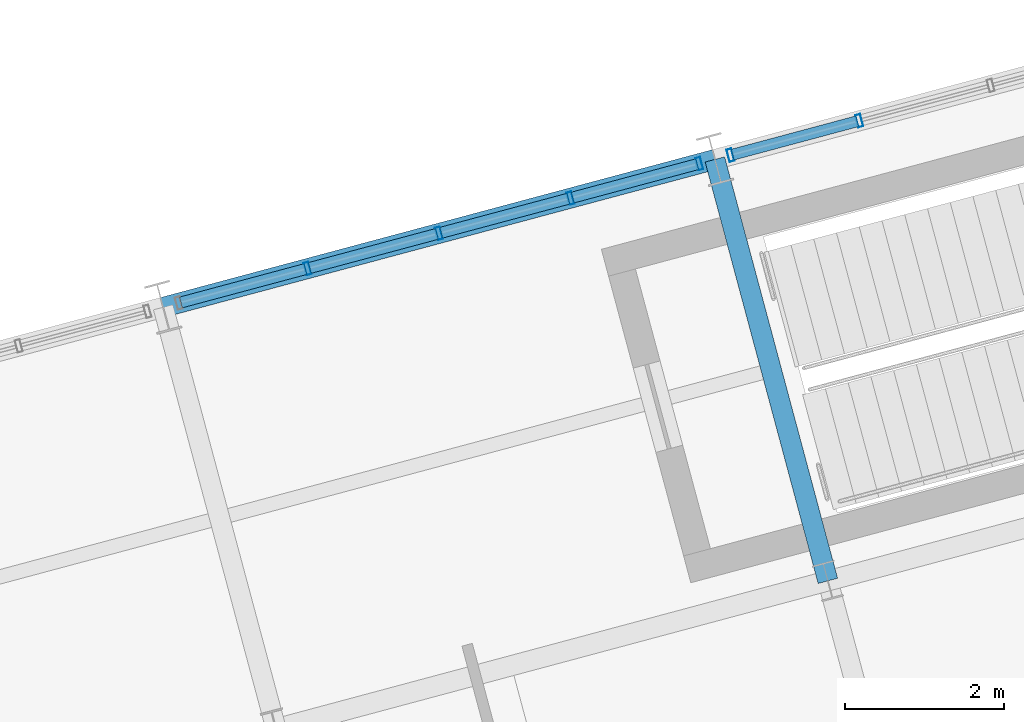
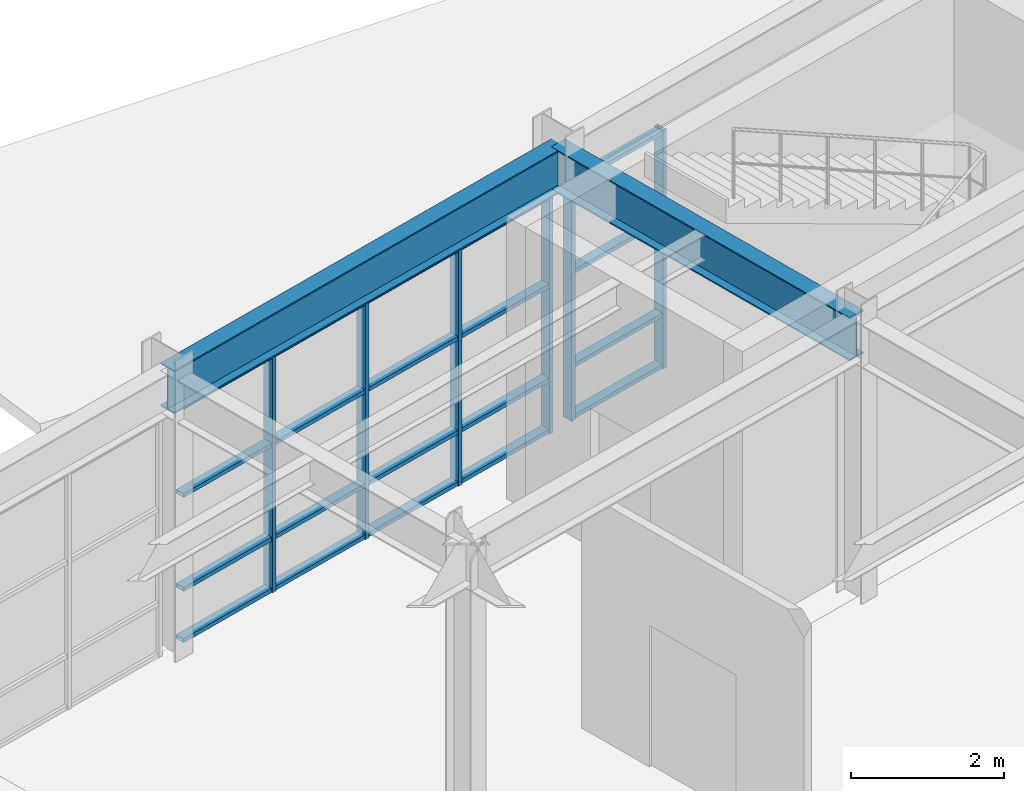
# One storey, part 56 of 104: 26 members, 2 beams, 2 elements without a shape of their own.
"""IFC4 building model written with IfcOpenShell, lengths in metres."""

from ifc_helpers import new_model, si_unit, direction, frame, origin, origin_2d, place, context, subcontext, project, spatial, hollow_rectangle, i_section, extrude, material, layer, layer_set, material_profile, profile_set, type_object, element, aggregate, save


model = new_model("IFC4")

# Units and contexts
model_context = context("Model", 3, precision=1e-05, world=origin(), true_north=direction((0.0, 1.0)))
body_context = subcontext(model_context, "Body", "Model", "MODEL_VIEW")
ifc_project = project(units=[si_unit("LENGTHUNIT", "METRE"), si_unit("AREAUNIT", "SQUARE_METRE"), si_unit("VOLUMEUNIT", "CUBIC_METRE"), si_unit("PLANEANGLEUNIT", "RADIAN"), si_unit("MASSUNIT", "GRAM", prefix="KILO")], contexts=[model_context])

# Site, building, storey
site_placement = place(None, origin())
site = spatial("IfcSite", under=ifc_project, at=site_placement, CompositionType="ELEMENT")
building_placement = place(site_placement, origin())
building = spatial("IfcBuilding", under=site, at=building_placement, Name="Ventoquebrada Cableway Terminal", CompositionType="ELEMENT")
storey_placement = place(building_placement, frame((0.0, 0.0, 4.800048828125)))
storey = spatial("IfcBuildingStorey", under=building, at=storey_placement, Name="L01", CompositionType="ELEMENT", Elevation=4.800048828125)

# Beams
ifc_material_1 = material(Name="Steel ASTM A992 Grade 50", Category="steel")
ifc_material_profile_1 = material_profile(ifc_material_1, i_section(OverallWidth=0.25390625, OverallDepth=0.68798828125, WebThickness=0.01318359375, FlangeThickness=0.02099609375, at=origin_2d()), Name="W27X102")
ifc_profile_set_1 = profile_set([ifc_material_profile_1], Name="Steel ASTM A992 Grade 50")
beam_type = type_object("IfcBeamType", Name="BM-ST04", PredefinedType="BEAM", material=ifc_profile_set_1)
beam_1_placement = place(storey_placement, frame((74.490966796875, 97.0400390625, 4.130859375), z_axis=(-0.258941703614, 0.965892951693, 0.0), x_axis=(-0.965892951693, -0.258941703614, 0.0)))
element("IfcBeam", 1, at=beam_1_placement, inside=storey, type_object=beam_type, Name="Splayed station girder FBM-1036", PredefinedType="BEAM", context=body_context, shape_type="SweptSolid", body=[
    extrude(i_section(OverallWidth=0.25390625, OverallDepth=0.68798828125, WebThickness=0.01318359375, FlangeThickness=0.02099609375, at=origin_2d()), origin(), (0.0, 0.0, 1.0), 5.49951171875),
])
beam_2_placement = place(storey_placement, frame((66.113037109375, 100.489013671875, 4.130859375), z_axis=(0.965934277216, 0.258787503754, 0.0), x_axis=(-0.258787503754, 0.965934277216, 0.0)))
element("IfcBeam", 2, at=beam_2_placement, inside=storey, type_object=beam_type, Name="Splayed station girder FBM-1064", PredefinedType="BEAM", context=body_context, shape_type="SweptSolid", body=[
    extrude(i_section(OverallWidth=0.25390625, OverallDepth=0.68798828125, WebThickness=0.01318359375, FlangeThickness=0.02099609375, at=origin_2d()), origin(), (0.0, 0.0, 1.0), 7.19921875),
])

# Curtain wall, members
ifc_material_2 = material(Name="Anodized thermally-broken aluminium", Category="aluminium")
ifc_layer_1 = layer(ifc_material_2, 0.159912109375)
ifc_layer_set_1 = layer_set([ifc_layer_1], Name="Anodized thermally-broken aluminium")
curtain_wall_type_1 = type_object("IfcCurtainWallType", Name="CW-T37", PredefinedType="USERDEFINED", material=ifc_layer_set_1)
curtain_wall_1_placement = place(storey_placement, origin())
curtain_wall_1 = element("IfcCurtainWall", 3, at=curtain_wall_1_placement, inside=storey, type_object=curtain_wall_type_1, Name="Unitised glazed curtain wall CW-091", ObjectType="UNITISED CURTAIN WALL", PredefinedType="USERDEFINED")
ifc_material_profile_2 = material_profile(ifc_material_2, hollow_rectangle(XDim=0.06494140625, YDim=0.159912109375, WallThickness=0.00390625, at=origin_2d()), Name="CW-MUL-65X160")
ifc_profile_set_2 = profile_set([ifc_material_profile_2], Name="Anodized thermally-broken aluminium")
member_type_1 = type_object("IfcMemberType", Name="CWM-01", PredefinedType="MULLION", material=ifc_profile_set_2)
member_1_placement = place(storey_placement, frame((72.8701171875, 102.299072265625, -0.008056640625), z_axis=(0.0, 0.0, 1.0), x_axis=(-0.965961954829, -0.258684173892, 0.0)))
member_1 = element("IfcMember", 4, at=member_1_placement, type_object=member_type_1, Name="Curtain wall mullion FML-0444", PredefinedType="MULLION", context=body_context, shape_type="SweptSolid", body=[
    extrude(hollow_rectangle(XDim=0.06494140625, YDim=0.159912109375, WallThickness=0.00390625, at=origin_2d()), origin(), (0.0, 0.0, 1.0), 3.794921875),
])
member_2_placement = place(storey_placement, frame((71.2470703125, 101.864013671875, -0.008056640625), z_axis=(0.0, 0.0, 1.0), x_axis=(-0.965961954829, -0.258684173892, 0.0)))
member_2 = element("IfcMember", 5, at=member_2_placement, type_object=member_type_1, Name="Curtain wall mullion FML-0445", PredefinedType="MULLION", context=body_context, shape_type="SweptSolid", body=[
    extrude(hollow_rectangle(XDim=0.06494140625, YDim=0.159912109375, WallThickness=0.00390625, at=origin_2d()), origin(), (0.0, 0.0, 1.0), 3.794921875),
])
member_3_placement = place(storey_placement, frame((69.590087890625, 101.4208984375, -0.008056640625), z_axis=(0.0, 0.0, 1.0), x_axis=(-0.965961954829, -0.258684173892, 0.0)))
member_3 = element("IfcMember", 6, at=member_3_placement, type_object=member_type_1, Name="Curtain wall mullion FML-0446", PredefinedType="MULLION", context=body_context, shape_type="SweptSolid", body=[
    extrude(hollow_rectangle(XDim=0.06494140625, YDim=0.159912109375, WallThickness=0.00390625, at=origin_2d()), origin(), (0.0, 0.0, 1.0), 3.794921875),
])
member_4_placement = place(storey_placement, frame((67.93310546875, 100.97705078125, -0.008056640625), z_axis=(0.0, 0.0, 1.0), x_axis=(-0.965961954829, -0.258684173892, 0.0)))
member_4 = element("IfcMember", 7, at=member_4_placement, type_object=member_type_1, Name="Curtain wall mullion FML-0447", PredefinedType="MULLION", context=body_context, shape_type="SweptSolid", body=[
    extrude(hollow_rectangle(XDim=0.06494140625, YDim=0.159912109375, WallThickness=0.00390625, at=origin_2d()), origin(), (0.0, 0.0, 1.0), 3.794921875),
])

ifc_layer_2 = layer(ifc_material_2, 0.159912109375)
ifc_layer_set_2 = layer_set([ifc_layer_2], Name="Anodized thermally-broken aluminium")
curtain_wall_type_2 = type_object("IfcCurtainWallType", Name="CW-T36", PredefinedType="USERDEFINED", material=ifc_layer_set_2)
curtain_wall_2_placement = place(storey_placement, origin())
curtain_wall_2 = element("IfcCurtainWall", 8, at=curtain_wall_2_placement, inside=storey, type_object=curtain_wall_type_2, Name="Unitised glazed curtain wall CW-092", ObjectType="UNITISED CURTAIN WALL", PredefinedType="USERDEFINED")
member_5_placement = place(storey_placement, frame((74.886962890625, 102.840087890625, -0.008056640625), z_axis=(0.0, 0.0, 1.0), x_axis=(-0.96593486019, -0.258785327773, 0.0)))
member_5 = element("IfcMember", 9, at=member_5_placement, type_object=member_type_1, Name="Curtain wall mullion FML-0452", PredefinedType="MULLION", context=body_context, shape_type="SweptSolid", body=[
    extrude(hollow_rectangle(XDim=0.06494140625, YDim=0.159912109375, WallThickness=0.00390625, at=origin_2d()), origin(), (0.0, 0.0, 1.0), 3.794921875),
])
member_6_placement = place(storey_placement, frame((73.263916015625, 102.405029296875, -0.008056640625), z_axis=(0.0, 0.0, 1.0), x_axis=(-0.96593486019, -0.258785327773, 0.0)))
member_6 = element("IfcMember", 10, at=member_6_placement, type_object=member_type_1, Name="Curtain wall mullion FML-0453", PredefinedType="MULLION", context=body_context, shape_type="SweptSolid", body=[
    extrude(hollow_rectangle(XDim=0.06494140625, YDim=0.159912109375, WallThickness=0.00390625, at=origin_2d()), origin(), (0.0, 0.0, 1.0), 3.794921875),
])

# Member
ifc_material_profile_3 = material_profile(ifc_material_2, hollow_rectangle(XDim=0.06494140625, YDim=0.139892578125, WallThickness=0.00390625, at=origin_2d()), Name="CW-TRN-65X140")
ifc_profile_set_3 = profile_set([ifc_material_profile_3], Name="Anodized thermally-broken aluminium")
member_type_2 = type_object("IfcMemberType", Name="CWT-01", PredefinedType="USERDEFINED", material=ifc_profile_set_3)
member_7_placement = place(storey_placement, frame((72.843994140625, 102.2919921875, 0.034912109375), z_axis=(-0.965895076966, -0.258933775881, 0.0), x_axis=(0.0, 0.0, 1.0)))
member_7 = element("IfcMember", 11, at=member_7_placement, type_object=member_type_2, Name="Curtain wall transom FTR-1320", ObjectType="TRANSOM", PredefinedType="USERDEFINED", context=body_context, shape_type="SweptSolid", body=[
    extrude(hollow_rectangle(XDim=0.06494140625, YDim=0.139892578125, WallThickness=0.00390625, at=origin_2d()), origin(), (0.0, 0.0, 1.0), 1.62548828125),
])

member_8_placement = place(storey_placement, frame((72.843994140625, 102.2919921875, 0.849853515625), z_axis=(-0.965895076966, -0.258933775881, 0.0), x_axis=(0.0, 0.0, 1.0)))
member_8 = element("IfcMember", 12, at=member_8_placement, type_object=member_type_2, Name="Curtain wall transom FTR-1321", ObjectType="TRANSOM", PredefinedType="USERDEFINED", context=body_context, shape_type="SweptSolid", body=[
    extrude(hollow_rectangle(XDim=0.06494140625, YDim=0.139892578125, WallThickness=0.00390625, at=origin_2d()), origin(), (0.0, 0.0, 1.0), 1.62548828125),
])

member_9_placement = place(storey_placement, frame((72.843994140625, 102.2919921875, 2.344970703125), z_axis=(-0.965895076966, -0.258933775881, 0.0), x_axis=(0.0, 0.0, 1.0)))
member_9 = element("IfcMember", 13, at=member_9_placement, type_object=member_type_2, Name="Curtain wall transom FTR-1322", ObjectType="TRANSOM", PredefinedType="USERDEFINED", context=body_context, shape_type="SweptSolid", body=[
    extrude(hollow_rectangle(XDim=0.06494140625, YDim=0.139892578125, WallThickness=0.00390625, at=origin_2d()), origin(), (0.0, 0.0, 1.0), 1.62548828125),
])

member_10_placement = place(storey_placement, frame((72.843994140625, 102.2919921875, 3.7470703125), z_axis=(-0.965895076966, -0.258933775881, 0.0), x_axis=(0.0, 0.0, 1.0)))
member_10 = element("IfcMember", 14, at=member_10_placement, type_object=member_type_2, Name="Curtain wall transom FTR-1323", ObjectType="TRANSOM", PredefinedType="USERDEFINED", context=body_context, shape_type="SweptSolid", body=[
    extrude(hollow_rectangle(XDim=0.06494140625, YDim=0.139892578125, WallThickness=0.00390625, at=origin_2d()), origin(), (0.0, 0.0, 1.0), 1.62548828125),
])

member_11_placement = place(storey_placement, frame((71.219970703125, 101.85693359375, 0.034912109375), z_axis=(-0.966012368976, -0.258495847135, 0.0), x_axis=(0.0, 0.0, 1.0)))
member_11 = element("IfcMember", 15, at=member_11_placement, type_object=member_type_2, Name="Curtain wall transom FTR-1324", ObjectType="TRANSOM", PredefinedType="USERDEFINED", context=body_context, shape_type="SweptSolid", body=[
    extrude(hollow_rectangle(XDim=0.06494140625, YDim=0.139892578125, WallThickness=0.00390625, at=origin_2d()), origin(), (0.0, 0.0, 1.0), 1.659423828125),
])

member_12_placement = place(storey_placement, frame((71.219970703125, 101.85693359375, 0.849853515625), z_axis=(-0.966012368976, -0.258495847135, 0.0), x_axis=(0.0, 0.0, 1.0)))
member_12 = element("IfcMember", 16, at=member_12_placement, type_object=member_type_2, Name="Curtain wall transom FTR-1325", ObjectType="TRANSOM", PredefinedType="USERDEFINED", context=body_context, shape_type="SweptSolid", body=[
    extrude(hollow_rectangle(XDim=0.06494140625, YDim=0.139892578125, WallThickness=0.00390625, at=origin_2d()), origin(), (0.0, 0.0, 1.0), 1.659423828125),
])

member_13_placement = place(storey_placement, frame((71.219970703125, 101.85693359375, 2.344970703125), z_axis=(-0.966012368976, -0.258495847135, 0.0), x_axis=(0.0, 0.0, 1.0)))
member_13 = element("IfcMember", 17, at=member_13_placement, type_object=member_type_2, Name="Curtain wall transom FTR-1326", ObjectType="TRANSOM", PredefinedType="USERDEFINED", context=body_context, shape_type="SweptSolid", body=[
    extrude(hollow_rectangle(XDim=0.06494140625, YDim=0.139892578125, WallThickness=0.00390625, at=origin_2d()), origin(), (0.0, 0.0, 1.0), 1.659423828125),
])

member_14_placement = place(storey_placement, frame((71.219970703125, 101.85693359375, 3.7470703125), z_axis=(-0.966012368976, -0.258495847135, 0.0), x_axis=(0.0, 0.0, 1.0)))
member_14 = element("IfcMember", 18, at=member_14_placement, type_object=member_type_2, Name="Curtain wall transom FTR-1327", ObjectType="TRANSOM", PredefinedType="USERDEFINED", context=body_context, shape_type="SweptSolid", body=[
    extrude(hollow_rectangle(XDim=0.06494140625, YDim=0.139892578125, WallThickness=0.00390625, at=origin_2d()), origin(), (0.0, 0.0, 1.0), 1.659423828125),
])

member_15_placement = place(storey_placement, frame((69.56298828125, 101.4130859375, 0.034912109375), z_axis=(-0.965975622401, -0.258633131919, 0.0), x_axis=(0.0, 0.0, 1.0)))
member_15 = element("IfcMember", 19, at=member_15_placement, type_object=member_type_2, Name="Curtain wall transom FTR-1328", ObjectType="TRANSOM", PredefinedType="USERDEFINED", context=body_context, shape_type="SweptSolid", body=[
    extrude(hollow_rectangle(XDim=0.06494140625, YDim=0.139892578125, WallThickness=0.00390625, at=origin_2d()), origin(), (0.0, 0.0, 1.0), 1.659423828125),
])

member_16_placement = place(storey_placement, frame((69.56298828125, 101.4130859375, 0.849853515625), z_axis=(-0.965975622401, -0.258633131919, 0.0), x_axis=(0.0, 0.0, 1.0)))
member_16 = element("IfcMember", 20, at=member_16_placement, type_object=member_type_2, Name="Curtain wall transom FTR-1329", ObjectType="TRANSOM", PredefinedType="USERDEFINED", context=body_context, shape_type="SweptSolid", body=[
    extrude(hollow_rectangle(XDim=0.06494140625, YDim=0.139892578125, WallThickness=0.00390625, at=origin_2d()), origin(), (0.0, 0.0, 1.0), 1.659423828125),
])

member_17_placement = place(storey_placement, frame((69.56298828125, 101.4130859375, 2.344970703125), z_axis=(-0.965975622401, -0.258633131919, 0.0), x_axis=(0.0, 0.0, 1.0)))
member_17 = element("IfcMember", 21, at=member_17_placement, type_object=member_type_2, Name="Curtain wall transom FTR-1330", ObjectType="TRANSOM", PredefinedType="USERDEFINED", context=body_context, shape_type="SweptSolid", body=[
    extrude(hollow_rectangle(XDim=0.06494140625, YDim=0.139892578125, WallThickness=0.00390625, at=origin_2d()), origin(), (0.0, 0.0, 1.0), 1.659423828125),
])

member_18_placement = place(storey_placement, frame((69.56298828125, 101.4130859375, 3.7470703125), z_axis=(-0.965975622401, -0.258633131919, 0.0), x_axis=(0.0, 0.0, 1.0)))
member_18 = element("IfcMember", 22, at=member_18_placement, type_object=member_type_2, Name="Curtain wall transom FTR-1331", ObjectType="TRANSOM", PredefinedType="USERDEFINED", context=body_context, shape_type="SweptSolid", body=[
    extrude(hollow_rectangle(XDim=0.06494140625, YDim=0.139892578125, WallThickness=0.00390625, at=origin_2d()), origin(), (0.0, 0.0, 1.0), 1.659423828125),
])

member_19_placement = place(storey_placement, frame((67.906005859375, 100.969970703125, 0.034912109375), z_axis=(-0.965895076966, -0.258933775881, 0.0), x_axis=(0.0, 0.0, 1.0)))
member_19 = element("IfcMember", 23, at=member_19_placement, type_object=member_type_2, Name="Curtain wall transom FTR-1332", ObjectType="TRANSOM", PredefinedType="USERDEFINED", context=body_context, shape_type="SweptSolid", body=[
    extrude(hollow_rectangle(XDim=0.06494140625, YDim=0.139892578125, WallThickness=0.00390625, at=origin_2d()), origin(), (0.0, 0.0, 1.0), 1.62548828125),
])

member_20_placement = place(storey_placement, frame((67.906005859375, 100.969970703125, 0.849853515625), z_axis=(-0.965895076966, -0.258933775881, 0.0), x_axis=(0.0, 0.0, 1.0)))
member_20 = element("IfcMember", 24, at=member_20_placement, type_object=member_type_2, Name="Curtain wall transom FTR-1333", ObjectType="TRANSOM", PredefinedType="USERDEFINED", context=body_context, shape_type="SweptSolid", body=[
    extrude(hollow_rectangle(XDim=0.06494140625, YDim=0.139892578125, WallThickness=0.00390625, at=origin_2d()), origin(), (0.0, 0.0, 1.0), 1.62548828125),
])

member_21_placement = place(storey_placement, frame((67.906005859375, 100.969970703125, 2.344970703125), z_axis=(-0.965895076966, -0.258933775881, 0.0), x_axis=(0.0, 0.0, 1.0)))
member_21 = element("IfcMember", 25, at=member_21_placement, type_object=member_type_2, Name="Curtain wall transom FTR-1334", ObjectType="TRANSOM", PredefinedType="USERDEFINED", context=body_context, shape_type="SweptSolid", body=[
    extrude(hollow_rectangle(XDim=0.06494140625, YDim=0.139892578125, WallThickness=0.00390625, at=origin_2d()), origin(), (0.0, 0.0, 1.0), 1.62548828125),
])

member_22_placement = place(storey_placement, frame((67.906005859375, 100.969970703125, 3.7470703125), z_axis=(-0.965895076966, -0.258933775881, 0.0), x_axis=(0.0, 0.0, 1.0)))
member_22 = element("IfcMember", 26, at=member_22_placement, type_object=member_type_2, Name="Curtain wall transom FTR-1335", ObjectType="TRANSOM", PredefinedType="USERDEFINED", context=body_context, shape_type="SweptSolid", body=[
    extrude(hollow_rectangle(XDim=0.06494140625, YDim=0.139892578125, WallThickness=0.00390625, at=origin_2d()), origin(), (0.0, 0.0, 1.0), 1.62548828125),
])

aggregate(curtain_wall_1, [member_1, member_2, member_3, member_4, member_7, member_8, member_9, member_10, member_11, member_12, member_13, member_14, member_15, member_16, member_17, member_18, member_19, member_20, member_21, member_22])

member_23_placement = place(storey_placement, frame((74.861083984375, 102.8330078125, 0.034912109375), z_axis=(-0.965935321875, -0.258783604493, 0.0), x_axis=(0.0, 0.0, 1.0)))
member_23 = element("IfcMember", 27, at=member_23_placement, type_object=member_type_2, Name="Curtain wall transom FTR-1348", ObjectType="TRANSOM", PredefinedType="USERDEFINED", context=body_context, shape_type="SweptSolid", body=[
    extrude(hollow_rectangle(XDim=0.06494140625, YDim=0.139892578125, WallThickness=0.00390625, at=origin_2d()), origin(), (0.0, 0.0, 1.0), 1.62646484375),
])

member_24_placement = place(storey_placement, frame((74.861083984375, 102.8330078125, 0.849853515625), z_axis=(-0.965935321875, -0.258783604493, 0.0), x_axis=(0.0, 0.0, 1.0)))
member_24 = element("IfcMember", 28, at=member_24_placement, type_object=member_type_2, Name="Curtain wall transom FTR-1349", ObjectType="TRANSOM", PredefinedType="USERDEFINED", context=body_context, shape_type="SweptSolid", body=[
    extrude(hollow_rectangle(XDim=0.06494140625, YDim=0.139892578125, WallThickness=0.00390625, at=origin_2d()), origin(), (0.0, 0.0, 1.0), 1.62646484375),
])

member_25_placement = place(storey_placement, frame((74.861083984375, 102.8330078125, 2.344970703125), z_axis=(-0.965935321875, -0.258783604493, 0.0), x_axis=(0.0, 0.0, 1.0)))
member_25 = element("IfcMember", 29, at=member_25_placement, type_object=member_type_2, Name="Curtain wall transom FTR-1350", ObjectType="TRANSOM", PredefinedType="USERDEFINED", context=body_context, shape_type="SweptSolid", body=[
    extrude(hollow_rectangle(XDim=0.06494140625, YDim=0.139892578125, WallThickness=0.00390625, at=origin_2d()), origin(), (0.0, 0.0, 1.0), 1.62646484375),
])

member_26_placement = place(storey_placement, frame((74.861083984375, 102.8330078125, 3.7470703125), z_axis=(-0.965935321875, -0.258783604493, 0.0), x_axis=(0.0, 0.0, 1.0)))
member_26 = element("IfcMember", 30, at=member_26_placement, type_object=member_type_2, Name="Curtain wall transom FTR-1351", ObjectType="TRANSOM", PredefinedType="USERDEFINED", context=body_context, shape_type="SweptSolid", body=[
    extrude(hollow_rectangle(XDim=0.06494140625, YDim=0.139892578125, WallThickness=0.00390625, at=origin_2d()), origin(), (0.0, 0.0, 1.0), 1.62646484375),
])

aggregate(curtain_wall_2, [member_5, member_6, member_23, member_24, member_25, member_26])

save(model, "model.ifc")
